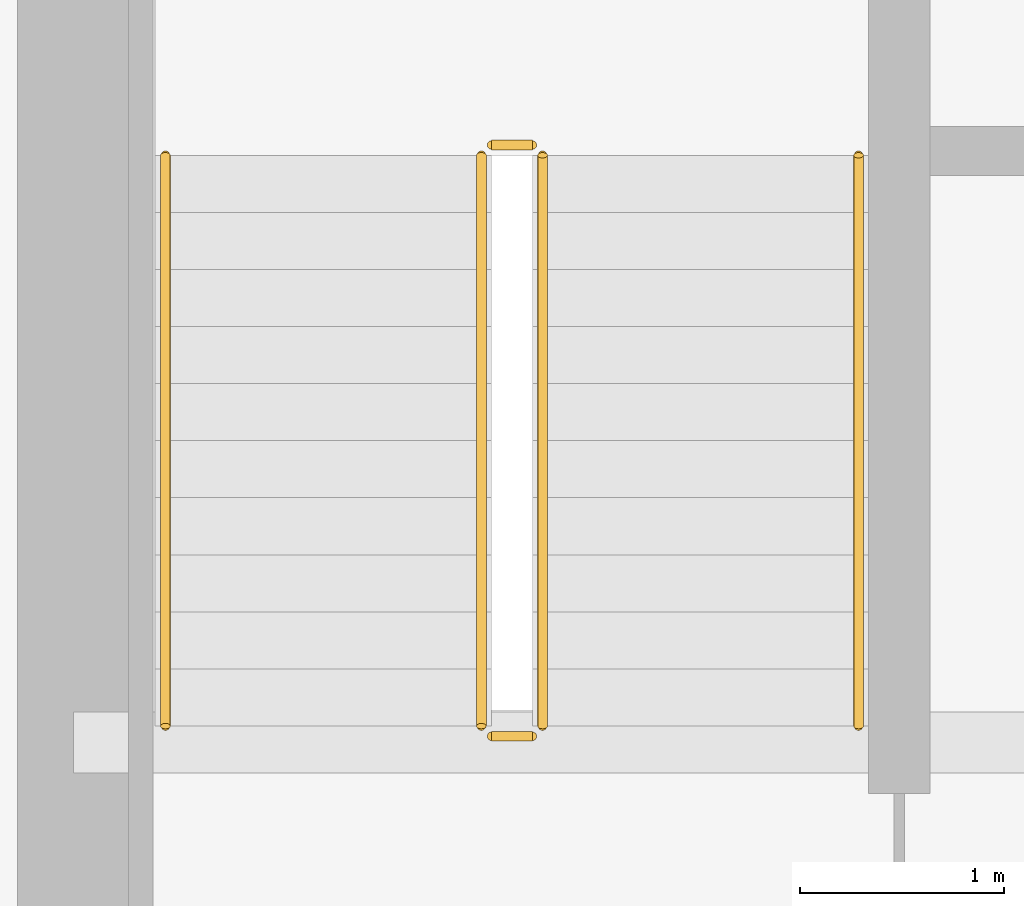
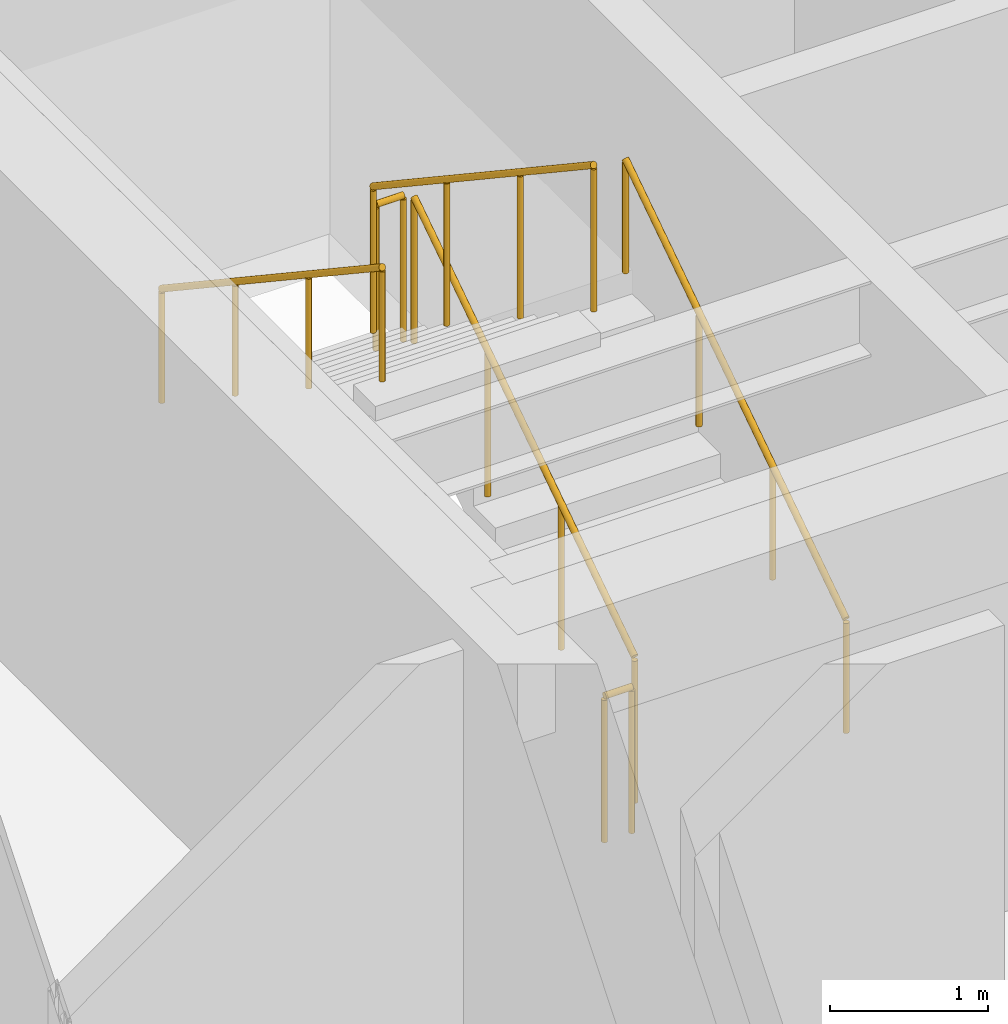
# One storey, part 32 of 33: 6 railings.
"""IFC4 building model written with IfcOpenShell, lengths in metres."""

from ifc_helpers import new_model, si_unit, direction, frame, origin, origin_2d, place, context, subcontext, project, spatial, circle, extrude, source, transform, mapped, material, type_object, type_shapes, element, save


model = new_model("IFC4")

# Units and contexts
model_context = context("Model", 3, precision=1e-05, world=origin(), true_north=direction((0.0, 1.0)))
body_context = subcontext(model_context, "Body", "Model", "MODEL_VIEW")
ifc_project = project(units=[si_unit("LENGTHUNIT", "METRE"), si_unit("AREAUNIT", "SQUARE_METRE"), si_unit("VOLUMEUNIT", "CUBIC_METRE"), si_unit("PLANEANGLEUNIT", "RADIAN"), si_unit("MASSUNIT", "GRAM", prefix="KILO")], contexts=[model_context])

# Site, building, storey
site_placement = place(None, origin())
site = spatial("IfcSite", under=ifc_project, at=site_placement, CompositionType="ELEMENT")
building_placement = place(site_placement, origin())
building = spatial("IfcBuilding", under=site, at=building_placement, Name="Haelvirn Gate Laboratories", CompositionType="ELEMENT")
storey_placement = place(building_placement, frame((0.0, 0.0, 238.300048828125)))
storey = spatial("IfcBuildingStorey", under=building, at=storey_placement, Name="L57", CompositionType="ELEMENT", Elevation=238.300048828125)

# Railings
ifc_material_1 = material(Name="Galvanised steel SM355 & stainless top rail", Category="steel")
railing_type_1 = type_object("IfcRailingType", Name="RL-GUARD-1150", PredefinedType="GUARDRAIL", material=ifc_material_1)
shared_shape_1 = source(origin(), body_context, "Body", "SweptSolid", [
    extrude(circle(Radius=0.02392578125, at=origin_2d()), frame((0.0, 0.0, 1.1259765625), z_axis=(-1.0, 0.0, 0.0), x_axis=(0.0, -1.0, 0.0)), (0.0, 0.0, 1.0), 0.199951171875),
    extrude(circle(Radius=0.02099609375, at=origin_2d()), origin(), (0.0, 0.0, 1.0), 1.101806640625),
    extrude(circle(Radius=0.02099609375, at=origin_2d()), frame((-0.199951171875, 0.0, 0.0)), (0.0, 0.0, 1.0), 1.101806640625),
])
for number, where, name in (
    (1, (9.64990234375, 29.550048828125, 2.050048828125), "L57 ST1 stair guard 2"),
    (2, (9.64990234375, 26.64990234375, 0.0), "L57 ST1 stair guard 4"),
):
    element("IfcRailing", number, at=place(storey_placement, frame(where)), inside=storey, type_object=railing_type_1, Name=name, PredefinedType="GUARDRAIL", context=body_context, shape_type="MappedRepresentation", body=[
        mapped(shared_shape_1, transform((0.0, 0.0, 0.0), scale=1.0)),
    ])
shared_shape_2 = source(origin(), body_context, "Body", "SweptSolid", [
    extrude(circle(Radius=0.02392578125, at=origin_2d()), frame((0.0, 0.0, 1.1259765625), z_axis=(0.0, 0.832452072856, 0.554097055034), x_axis=(-1.0, 0.0, 0.0)), (0.0, 0.0, 1.0), 3.363525390625),
    extrude(circle(Radius=0.02099609375, at=origin_2d()), origin(), (0.0, 0.0, 1.0), 1.101806640625),
    extrude(circle(Radius=0.02099609375, at=origin_2d()), frame((0.0, 0.933349609375, 0.621337890625)), (0.0, 0.0, 1.0), 1.101806640625),
    extrude(circle(Radius=0.02099609375, at=origin_2d()), frame((0.0, 1.86669921875, 1.242431640625)), (0.0, 0.0, 1.0), 1.101806640625),
    extrude(circle(Radius=0.02099609375, at=origin_2d()), frame((0.0, 2.800048828125, 1.86376953125)), (0.0, 0.0, 1.0), 1.101806640625),
])
railing_1_placement = place(storey_placement, frame((9.699951171875, 26.699951171875, 0.186279296875)))
element("IfcRailing", 3, at=railing_1_placement, inside=storey, type_object=railing_type_1, Name="L57 ST1 stair guard 1", PredefinedType="GUARDRAIL", context=body_context, shape_type="MappedRepresentation", body=[
    mapped(shared_shape_2, transform((0.0, 0.0, 0.0), scale=1.0)),
])
shared_shape_3 = source(origin(), body_context, "Body", "SweptSolid", [
    extrude(circle(Radius=0.02392578125, at=origin_2d()), frame((0.0, 0.0, 1.1259765625), z_axis=(0.0, -0.832485552168, 0.554046753832), x_axis=(1.0, 0.0, 0.0)), (0.0, 0.0, 1.0), 3.363525390625),
    extrude(circle(Radius=0.02099609375, at=origin_2d()), origin(), (0.0, 0.0, 1.0), 1.101806640625),
    extrude(circle(Radius=0.02099609375, at=origin_2d()), frame((0.0, -0.933349609375, 0.62109375)), (0.0, 0.0, 1.0), 1.101806640625),
    extrude(circle(Radius=0.02099609375, at=origin_2d()), frame((0.0, -1.86669921875, 1.242431640625)), (0.0, 0.0, 1.0), 1.101806640625),
    extrude(circle(Radius=0.02099609375, at=origin_2d()), frame((0.0, -2.800048828125, 1.863525390625)), (0.0, 0.0, 1.0), 1.101806640625),
])
type_shapes(railing_type_1, [shared_shape_1, shared_shape_2, shared_shape_3])
railing_2_placement = place(storey_placement, frame((9.39990234375, 29.5, 2.236328125)))
element("IfcRailing", 4, at=railing_2_placement, inside=storey, type_object=railing_type_1, Name="L57 ST1 stair guard 3", PredefinedType="GUARDRAIL", context=body_context, shape_type="MappedRepresentation", body=[
    mapped(shared_shape_3, transform((0.0, 0.0, 0.0), scale=1.0)),
])
ifc_material_2 = material(Name="Brushed stainless steel 316L", Category="steel")
railing_type_2 = type_object("IfcRailingType", Name="RL-HAND-920", PredefinedType="HANDRAIL", material=ifc_material_2)
shared_shape_4 = source(origin(), body_context, "Body", "SweptSolid", [
    extrude(circle(Radius=0.02392578125, at=origin_2d()), frame((0.0, 0.0, 0.8759765625), z_axis=(0.0, 0.832452072856, 0.554097055034), x_axis=(-1.0, 0.0, 0.0)), (0.0, 0.0, 1.0), 3.363525390625),
    extrude(circle(Radius=0.02099609375, at=origin_2d()), origin(), (0.0, 0.0, 1.0), 0.851806640625),
    extrude(circle(Radius=0.02099609375, at=origin_2d()), frame((0.0, 0.933349609375, 0.621337890625)), (0.0, 0.0, 1.0), 0.851806640625),
    extrude(circle(Radius=0.02099609375, at=origin_2d()), frame((0.0, 1.86669921875, 1.242431640625)), (0.0, 0.0, 1.0), 0.851806640625),
    extrude(circle(Radius=0.02099609375, at=origin_2d()), frame((0.0, 2.800048828125, 1.86376953125)), (0.0, 0.0, 1.0), 0.851806640625),
])
railing_3_placement = place(storey_placement, frame((11.25, 26.699951171875, 0.186279296875)))
element("IfcRailing", 5, at=railing_3_placement, inside=storey, type_object=railing_type_2, Name="L57 ST1 stair handrail 1", PredefinedType="HANDRAIL", context=body_context, shape_type="MappedRepresentation", body=[
    mapped(shared_shape_4, transform((0.0, 0.0, 0.0), scale=1.0)),
])
shared_shape_5 = source(origin(), body_context, "Body", "SweptSolid", [
    extrude(circle(Radius=0.02392578125, at=origin_2d()), frame((0.0, 0.0, 0.8759765625), z_axis=(0.0, -0.832485552168, 0.554046753832), x_axis=(1.0, 0.0, 0.0)), (0.0, 0.0, 1.0), 3.363525390625),
    extrude(circle(Radius=0.02099609375, at=origin_2d()), origin(), (0.0, 0.0, 1.0), 0.851806640625),
    extrude(circle(Radius=0.02099609375, at=origin_2d()), frame((0.0, -0.933349609375, 0.62109375)), (0.0, 0.0, 1.0), 0.851806640625),
    extrude(circle(Radius=0.02099609375, at=origin_2d()), frame((0.0, -1.86669921875, 1.242431640625)), (0.0, 0.0, 1.0), 0.851806640625),
    extrude(circle(Radius=0.02099609375, at=origin_2d()), frame((0.0, -2.800048828125, 1.863525390625)), (0.0, 0.0, 1.0), 0.851806640625),
])
type_shapes(railing_type_2, [shared_shape_4, shared_shape_5])
railing_4_placement = place(storey_placement, frame((7.85009765625, 29.5, 2.236328125)))
element("IfcRailing", 6, at=railing_4_placement, inside=storey, type_object=railing_type_2, Name="L57 ST1 stair handrail 2", PredefinedType="HANDRAIL", context=body_context, shape_type="MappedRepresentation", body=[
    mapped(shared_shape_5, transform((0.0, 0.0, 0.0), scale=1.0)),
])

save(model, "model.ifc")
